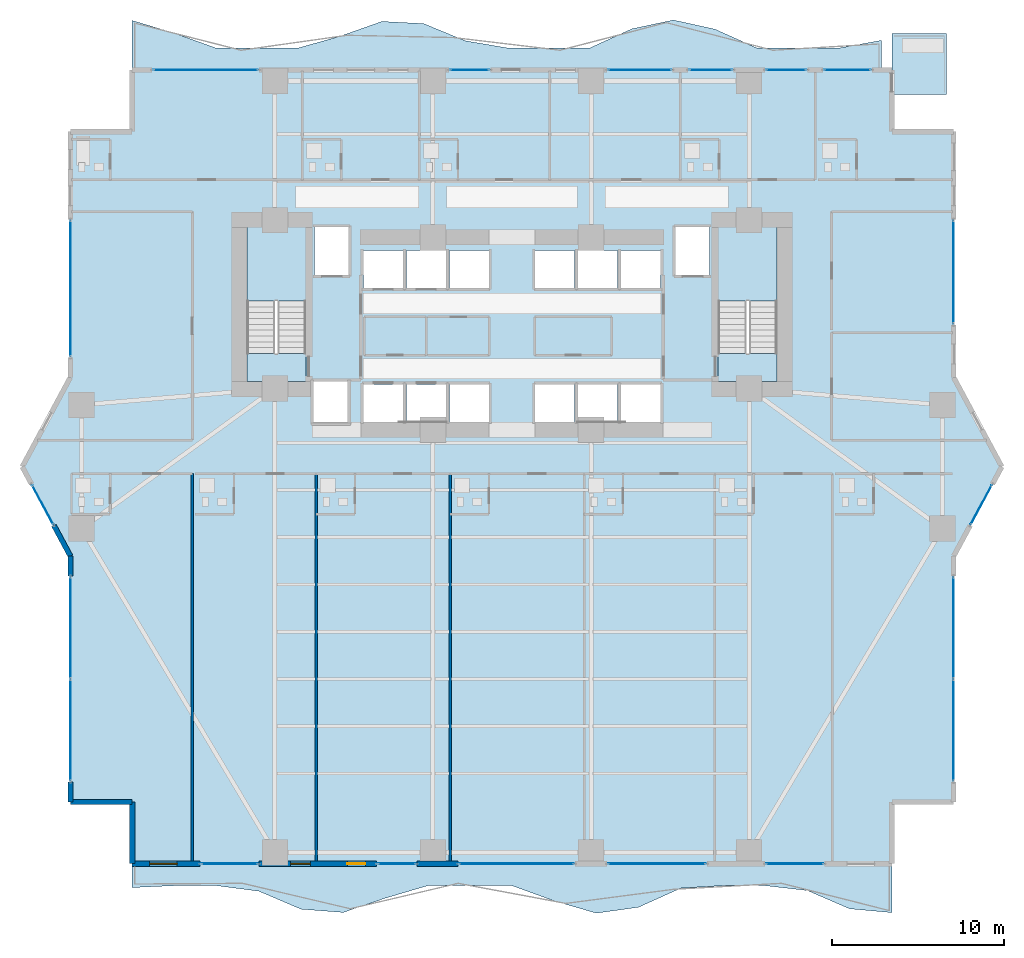
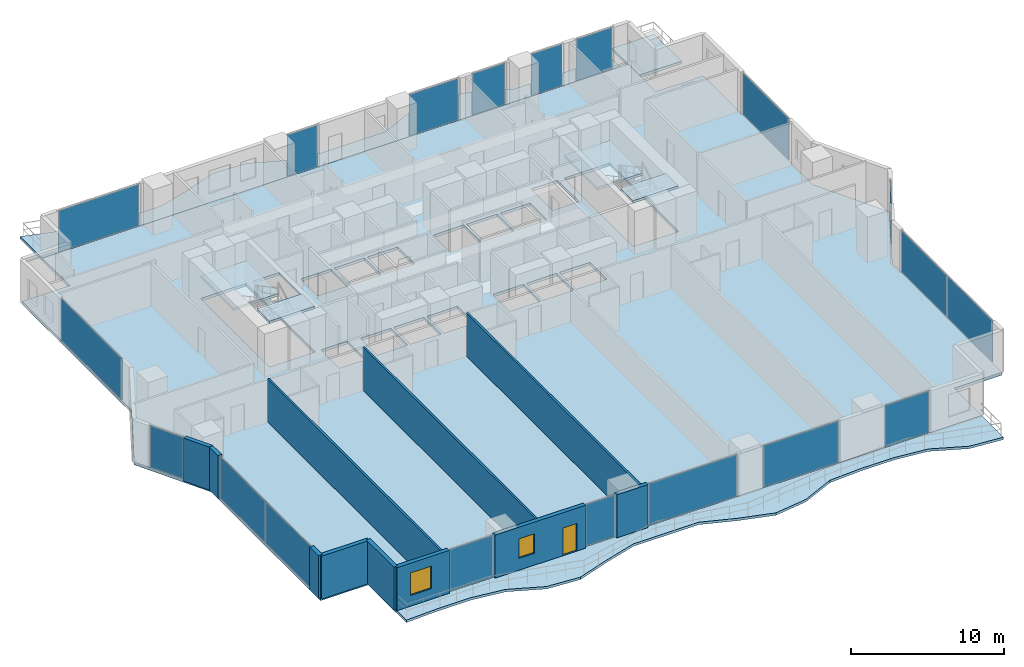
# One storey, part 18 of 28: 19 plates, 11 walls, 8 slabs, 2 windows, 1 door, 3 openings, 19 elements without a shape of their own.
"""IFC4 building model written with IfcOpenShell, lengths in metres."""

from ifc_helpers import new_model, si_unit, direction, frame, frame_2d, origin, origin_2d, place, context, subcontext, project, spatial, polyline, rectangle, outline, extrude, material, layer, layer_set, type_object, element, fill, aggregate, save


model = new_model("IFC4")

# Units and contexts
model_context = context("Model", 3, precision=1e-05, world=origin(), true_north=direction((0.0, 1.0)))
body_context = subcontext(model_context, "Body", "Model", "MODEL_VIEW")
ifc_project = project(units=[si_unit("LENGTHUNIT", "METRE"), si_unit("AREAUNIT", "SQUARE_METRE"), si_unit("VOLUMEUNIT", "CUBIC_METRE"), si_unit("PLANEANGLEUNIT", "RADIAN"), si_unit("MASSUNIT", "GRAM", prefix="KILO")], contexts=[model_context])

# Site, building, storey
site_placement = place(None, origin())
site = spatial("IfcSite", under=ifc_project, at=site_placement, CompositionType="ELEMENT")
building_placement = place(site_placement, origin())
building = spatial("IfcBuilding", under=site, at=building_placement, Name="Zuhayl Quay Hotel", CompositionType="ELEMENT")
storey_placement = place(building_placement, frame((0.0, 0.0, 49.5)))
storey = spatial("IfcBuildingStorey", under=building, at=storey_placement, Name="L11", CompositionType="ELEMENT", Elevation=49.5)

# Curtain wall, plates
ifc_material_1 = material(Name="Anodised Aluminium 6063-T6", Category="aluminium")
ifc_layer_1 = layer(ifc_material_1, 0.18994140625, Name="Anodised Aluminium 6063-T6", Category="aluminium")
ifc_layer_set_1 = layer_set([ifc_layer_1], Name="Anodised Aluminium 6063-T6")
curtain_wall_type = type_object("IfcCurtainWallType", Name="CW_SYS_Z1", PredefinedType="USERDEFINED", material=ifc_layer_set_1)
curtain_wall_1_placement = place(storey_placement, origin())
curtain_wall_1 = element("IfcCurtainWall", 1, at=curtain_wall_1_placement, inside=storey, type_object=curtain_wall_type, Name="L11 Curtain Wall ENV_L11_E02_CW1", ObjectType="UNITISED CURTAIN WALL", PredefinedType="USERDEFINED")
ifc_material_2 = material(Name="Dark Ceramic-Fritted Solar Glass", Category="glass")
ifc_layer_2 = layer(ifc_material_2, 0.035888671875, Name="Dark Ceramic-Fritted Solar Glass", Category="glass")
ifc_layer_set_2 = layer_set([ifc_layer_2], Name="Dark Ceramic-Fritted Solar Glass")
plate_type = type_object("IfcPlateType", Name="PN_DARK_FRIT_Z1", PredefinedType="CURTAIN_PANEL", material=ifc_layer_set_2)
plate_1_placement = place(storey_placement, frame((-25.699951171875, -15.331298828125, 0.06005859375), z_axis=(0.0, 0.0, 1.0), x_axis=(0.0, 1.0, 0.0)))
plate_1 = element("IfcPlate", 2, at=plate_1_placement, type_object=plate_type, Name="CW-Z1 panel 1.1", PredefinedType="CURTAIN_PANEL", context=body_context, shape_type="SweptSolid", body=[
    extrude(rectangle(XDim=5.887451171875, YDim=0.035888671875, at=origin_2d()), origin(), (0.0, 0.0, 1.0), 3.31005859375),
])
plate_2_placement = place(storey_placement, frame((-25.699951171875, -9.36865234375, 0.06005859375), z_axis=(0.0, 0.0, 1.0), x_axis=(0.0, 1.0, 0.0)))
plate_2 = element("IfcPlate", 3, at=plate_2_placement, type_object=plate_type, Name="CW-Z1 panel 2.1", PredefinedType="CURTAIN_PANEL", context=body_context, shape_type="SweptSolid", body=[
    extrude(rectangle(XDim=5.887451171875, YDim=0.035888671875, at=origin_2d()), origin(), (0.0, 0.0, 1.0), 3.31005859375),
])
aggregate(curtain_wall_1, [plate_1, plate_2])

# Curtain wall, plate
curtain_wall_2_placement = place(storey_placement, origin())
curtain_wall_2 = element("IfcCurtainWall", 4, at=curtain_wall_2_placement, inside=storey, type_object=curtain_wall_type, Name="L11 Curtain Wall ENV_L11_E03_CW1", ObjectType="UNITISED CURTAIN WALL", PredefinedType="USERDEFINED")
plate_3_placement = place(storey_placement, frame((-27.306396484375, -2.216796875, 0.06005859375), z_axis=(0.0, 0.0, 1.0), x_axis=(-0.474091102632, 0.880475795468, 0.0)))
plate_3 = element("IfcPlate", 5, at=plate_3_placement, type_object=plate_type, Name="CW-Z1 panel 1.1", PredefinedType="CURTAIN_PANEL", context=body_context, shape_type="SweptSolid", body=[
    extrude(rectangle(XDim=2.58544921875, YDim=0.035888671875, at=origin_2d()), origin(), (0.0, 0.0, 1.0), 3.31005859375),
])
aggregate(curtain_wall_2, [plate_3])

curtain_wall_3_placement = place(storey_placement, origin())
curtain_wall_3 = element("IfcCurtainWall", 6, at=curtain_wall_3_placement, inside=storey, type_object=curtain_wall_type, Name="L11 Curtain Wall ENV_L11_E05_CW1", ObjectType="UNITISED CURTAIN WALL", PredefinedType="USERDEFINED")
plate_4_placement = place(storey_placement, frame((-25.699951171875, 10.375, 0.06005859375), z_axis=(0.0, 0.0, 1.0), x_axis=(0.0, 1.0, 0.0)))
plate_4 = element("IfcPlate", 7, at=plate_4_placement, type_object=plate_type, Name="CW-Z1 panel 1.1", PredefinedType="CURTAIN_PANEL", context=body_context, shape_type="SweptSolid", body=[
    extrude(rectangle(XDim=7.89990234375, YDim=0.035888671875, at=origin_2d()), origin(), (0.0, 0.0, 1.0), 3.31005859375),
])
aggregate(curtain_wall_3, [plate_4])

curtain_wall_4_placement = place(storey_placement, origin())
curtain_wall_4 = element("IfcCurtainWall", 8, at=curtain_wall_4_placement, inside=storey, type_object=curtain_wall_type, Name="L11 Curtain Wall ENV_L11_N_CW1", ObjectType="UNITISED CURTAIN WALL", PredefinedType="USERDEFINED")
plate_5_placement = place(storey_placement, frame((-17.8349609375, 23.10009765625, 0.06005859375), z_axis=(0.0, 0.0, 1.0), x_axis=(1.0, 0.0, 0.0)))
plate_5 = element("IfcPlate", 9, at=plate_5_placement, type_object=plate_type, Name="CW-Z1 panel 1.1", PredefinedType="CURTAIN_PANEL", context=body_context, shape_type="SweptSolid", body=[
    extrude(rectangle(XDim=6.080078125, YDim=0.035888671875, at=origin_2d()), origin(), (0.0, 0.0, 1.0), 3.31005859375),
])
aggregate(curtain_wall_4, [plate_5])

curtain_wall_5_placement = place(storey_placement, origin())
curtain_wall_5 = element("IfcCurtainWall", 10, at=curtain_wall_5_placement, inside=storey, type_object=curtain_wall_type, Name="L11 Curtain Wall ENV_L11_N_CW2", ObjectType="UNITISED CURTAIN WALL", PredefinedType="USERDEFINED")
plate_6_placement = place(storey_placement, frame((-2.467529296875, 23.10009765625, 0.06005859375), z_axis=(0.0, 0.0, 1.0), x_axis=(1.0, 0.0, 0.0)))
plate_6 = element("IfcPlate", 11, at=plate_6_placement, type_object=plate_type, Name="CW-Z1 panel 1.1", PredefinedType="CURTAIN_PANEL", context=body_context, shape_type="SweptSolid", body=[
    extrude(rectangle(XDim=2.27490234375, YDim=0.035888671875, at=origin_2d()), origin(), (0.0, 0.0, 1.0), 3.31005859375),
])
aggregate(curtain_wall_5, [plate_6])

curtain_wall_6_placement = place(storey_placement, origin())
curtain_wall_6 = element("IfcCurtainWall", 12, at=curtain_wall_6_placement, inside=storey, type_object=curtain_wall_type, Name="L11 Curtain Wall ENV_L11_N_CW3", ObjectType="UNITISED CURTAIN WALL", PredefinedType="USERDEFINED")
plate_7_placement = place(storey_placement, frame((7.43505859375, 23.10009765625, 0.06005859375), z_axis=(0.0, 0.0, 1.0), x_axis=(1.0, 0.0, 0.0)))
plate_7 = element("IfcPlate", 13, at=plate_7_placement, type_object=plate_type, Name="CW-Z1 panel 1.1", PredefinedType="CURTAIN_PANEL", context=body_context, shape_type="SweptSolid", body=[
    extrude(rectangle(XDim=3.679931640625, YDim=0.035888671875, at=origin_2d()), origin(), (0.0, 0.0, 1.0), 3.31005859375),
])
aggregate(curtain_wall_6, [plate_7])

curtain_wall_7_placement = place(storey_placement, origin())
curtain_wall_7 = element("IfcCurtainWall", 14, at=curtain_wall_7_placement, inside=storey, type_object=curtain_wall_type, Name="L11 Curtain Wall ENV_L11_N_CW4", ObjectType="UNITISED CURTAIN WALL", PredefinedType="USERDEFINED")
plate_8_placement = place(storey_placement, frame((11.56494140625, 23.10009765625, 0.06005859375), z_axis=(0.0, 0.0, 1.0), x_axis=(1.0, 0.0, 0.0)))
plate_8 = element("IfcPlate", 15, at=plate_8_placement, type_object=plate_type, Name="CW-Z1 panel 1.1", PredefinedType="CURTAIN_PANEL", context=body_context, shape_type="SweptSolid", body=[
    extrude(rectangle(XDim=2.47998046875, YDim=0.035888671875, at=origin_2d()), origin(), (0.0, 0.0, 1.0), 3.31005859375),
])
aggregate(curtain_wall_7, [plate_8])

curtain_wall_8_placement = place(storey_placement, origin())
curtain_wall_8 = element("IfcCurtainWall", 16, at=curtain_wall_8_placement, inside=storey, type_object=curtain_wall_type, Name="L11 Curtain Wall ENV_L11_N_CW5", ObjectType="UNITISED CURTAIN WALL", PredefinedType="USERDEFINED")
plate_9_placement = place(storey_placement, frame((15.955078125, 23.10009765625, 0.06005859375), z_axis=(0.0, 0.0, 1.0), x_axis=(1.0, 0.0, 0.0)))
plate_9 = element("IfcPlate", 17, at=plate_9_placement, type_object=plate_type, Name="CW-Z1 panel 1.1", PredefinedType="CURTAIN_PANEL", context=body_context, shape_type="SweptSolid", body=[
    extrude(rectangle(XDim=2.320068359375, YDim=0.035888671875, at=origin_2d()), origin(), (0.0, 0.0, 1.0), 3.31005859375),
])
aggregate(curtain_wall_8, [plate_9])

curtain_wall_9_placement = place(storey_placement, origin())
curtain_wall_9 = element("IfcCurtainWall", 18, at=curtain_wall_9_placement, inside=storey, type_object=curtain_wall_type, Name="L11 Curtain Wall ENV_L11_N_CW6", ObjectType="UNITISED CURTAIN WALL", PredefinedType="USERDEFINED")
plate_10_placement = place(storey_placement, frame((19.52001953125, 23.10009765625, 0.06005859375), z_axis=(0.0, 0.0, 1.0), x_axis=(1.0, 0.0, 0.0)))
plate_10 = element("IfcPlate", 19, at=plate_10_placement, type_object=plate_type, Name="CW-Z1 panel 1.1", PredefinedType="CURTAIN_PANEL", context=body_context, shape_type="SweptSolid", body=[
    extrude(rectangle(XDim=2.7099609375, YDim=0.035888671875, at=origin_2d()), origin(), (0.0, 0.0, 1.0), 3.31005859375),
])
aggregate(curtain_wall_9, [plate_10])

curtain_wall_10_placement = place(storey_placement, origin())
curtain_wall_10 = element("IfcCurtainWall", 20, at=curtain_wall_10_placement, inside=storey, type_object=curtain_wall_type, Name="L11 Curtain Wall ENV_L11_E11_CW1", ObjectType="UNITISED CURTAIN WALL", PredefinedType="USERDEFINED")
plate_11_placement = place(storey_placement, frame((25.699951171875, 11.324951171875, 0.06005859375), z_axis=(0.0, 0.0, 1.0), x_axis=(0.0, -1.0, 0.0)))
plate_11 = element("IfcPlate", 21, at=plate_11_placement, type_object=plate_type, Name="CW-Z1 panel 1.1", PredefinedType="CURTAIN_PANEL", context=body_context, shape_type="SweptSolid", body=[
    extrude(rectangle(XDim=6.0, YDim=0.035888671875, at=origin_2d()), origin(), (0.0, 0.0, 1.0), 3.31005859375),
])
aggregate(curtain_wall_10, [plate_11])

curtain_wall_11_placement = place(storey_placement, origin())
curtain_wall_11 = element("IfcCurtainWall", 22, at=curtain_wall_11_placement, inside=storey, type_object=curtain_wall_type, Name="L11 Curtain Wall ENV_L11_E13_CW1", ObjectType="UNITISED CURTAIN WALL", PredefinedType="USERDEFINED")
plate_12_placement = place(storey_placement, frame((27.306396484375, -2.216796875, 0.06005859375), z_axis=(0.0, 0.0, 1.0), x_axis=(-0.474091102632, -0.880475795468, 0.0)))
plate_12 = element("IfcPlate", 23, at=plate_12_placement, type_object=plate_type, Name="CW-Z1 panel 1.1", PredefinedType="CURTAIN_PANEL", context=body_context, shape_type="SweptSolid", body=[
    extrude(rectangle(XDim=2.58544921875, YDim=0.035888671875, at=origin_2d()), origin(), (0.0, 0.0, 1.0), 3.31005859375),
])
aggregate(curtain_wall_11, [plate_12])

# Curtain wall, plates
curtain_wall_12_placement = place(storey_placement, origin())
curtain_wall_12 = element("IfcCurtainWall", 24, at=curtain_wall_12_placement, inside=storey, type_object=curtain_wall_type, Name="L11 Curtain Wall ENV_L11_E14_CW1", ObjectType="UNITISED CURTAIN WALL", PredefinedType="USERDEFINED")
plate_13_placement = place(storey_placement, frame((25.699951171875, -9.36865234375, 0.06005859375), z_axis=(0.0, 0.0, 1.0), x_axis=(0.0, -1.0, 0.0)))
plate_13 = element("IfcPlate", 25, at=plate_13_placement, type_object=plate_type, Name="CW-Z1 panel 1.1", PredefinedType="CURTAIN_PANEL", context=body_context, shape_type="SweptSolid", body=[
    extrude(rectangle(XDim=5.887451171875, YDim=0.035888671875, at=origin_2d()), origin(), (0.0, 0.0, 1.0), 3.31005859375),
])
plate_14_placement = place(storey_placement, frame((25.699951171875, -15.331298828125, 0.06005859375), z_axis=(0.0, 0.0, 1.0), x_axis=(0.0, -1.0, 0.0)))
plate_14 = element("IfcPlate", 26, at=plate_14_placement, type_object=plate_type, Name="CW-Z1 panel 2.1", PredefinedType="CURTAIN_PANEL", context=body_context, shape_type="SweptSolid", body=[
    extrude(rectangle(XDim=5.887451171875, YDim=0.035888671875, at=origin_2d()), origin(), (0.0, 0.0, 1.0), 3.31005859375),
])
aggregate(curtain_wall_12, [plate_13, plate_14])

# Curtain wall, plate
curtain_wall_13_placement = place(storey_placement, origin())
curtain_wall_13 = element("IfcCurtainWall", 27, at=curtain_wall_13_placement, inside=storey, type_object=curtain_wall_type, Name="L11 Curtain Wall ENV_L11_S_CW1", ObjectType="UNITISED CURTAIN WALL", PredefinedType="USERDEFINED")
plate_15_placement = place(storey_placement, frame((16.455078125, -23.10009765625, 0.06005859375), z_axis=(0.0, 0.0, 1.0), x_axis=(-1.0, 0.0, 0.0)))
plate_15 = element("IfcPlate", 28, at=plate_15_placement, type_object=plate_type, Name="CW-Z1 panel 1.1", PredefinedType="CURTAIN_PANEL", context=body_context, shape_type="SweptSolid", body=[
    extrude(rectangle(XDim=3.320068359375, YDim=0.035888671875, at=origin_2d()), origin(), (0.0, 0.0, 1.0), 3.31005859375),
])
aggregate(curtain_wall_13, [plate_15])

curtain_wall_14_placement = place(storey_placement, origin())
curtain_wall_14 = element("IfcCurtainWall", 29, at=curtain_wall_14_placement, inside=storey, type_object=curtain_wall_type, Name="L11 Curtain Wall ENV_L11_S_CW2", ObjectType="UNITISED CURTAIN WALL", PredefinedType="USERDEFINED")
plate_16_placement = place(storey_placement, frame((8.43505859375, -23.10009765625, 0.06005859375), z_axis=(0.0, 0.0, 1.0), x_axis=(-1.0, 0.0, 0.0)))
plate_16 = element("IfcPlate", 30, at=plate_16_placement, type_object=plate_type, Name="CW-Z1 panel 1.1", PredefinedType="CURTAIN_PANEL", context=body_context, shape_type="SweptSolid", body=[
    extrude(rectangle(XDim=5.679931640625, YDim=0.035888671875, at=origin_2d()), origin(), (0.0, 0.0, 1.0), 3.31005859375),
])
aggregate(curtain_wall_14, [plate_16])

curtain_wall_15_placement = place(storey_placement, origin())
curtain_wall_15 = element("IfcCurtainWall", 31, at=curtain_wall_15_placement, inside=storey, type_object=curtain_wall_type, Name="L11 Curtain Wall ENV_L11_S_CW3", ObjectType="UNITISED CURTAIN WALL", PredefinedType="USERDEFINED")
plate_17_placement = place(storey_placement, frame((0.264892578125, -23.10009765625, 0.06005859375), z_axis=(0.0, 0.0, 1.0), x_axis=(-1.0, 0.0, 0.0)))
plate_17 = element("IfcPlate", 32, at=plate_17_placement, type_object=plate_type, Name="CW-Z1 panel 1.1", PredefinedType="CURTAIN_PANEL", context=body_context, shape_type="SweptSolid", body=[
    extrude(rectangle(XDim=6.679931640625, YDim=0.035888671875, at=origin_2d()), origin(), (0.0, 0.0, 1.0), 3.31005859375),
])
aggregate(curtain_wall_15, [plate_17])

curtain_wall_16_placement = place(storey_placement, origin())
curtain_wall_16 = element("IfcCurtainWall", 33, at=curtain_wall_16_placement, inside=storey, type_object=curtain_wall_type, Name="L11 Curtain Wall ENV_L11_S_CW4", ObjectType="UNITISED CURTAIN WALL", PredefinedType="USERDEFINED")
plate_18_placement = place(storey_placement, frame((-6.702392578125, -23.10009765625, 0.06005859375), z_axis=(0.0, 0.0, 1.0), x_axis=(-1.0, 0.0, 0.0)))
plate_18 = element("IfcPlate", 34, at=plate_18_placement, type_object=plate_type, Name="CW-Z1 panel 1.1", PredefinedType="CURTAIN_PANEL", context=body_context, shape_type="SweptSolid", body=[
    extrude(rectangle(XDim=2.215087890625, YDim=0.035888671875, at=origin_2d()), origin(), (0.0, 0.0, 1.0), 3.31005859375),
])
aggregate(curtain_wall_16, [plate_18])

curtain_wall_17_placement = place(storey_placement, origin())
curtain_wall_17 = element("IfcCurtainWall", 35, at=curtain_wall_17_placement, inside=storey, type_object=curtain_wall_type, Name="L11 Curtain Wall ENV_L11_S_CW5", ObjectType="UNITISED CURTAIN WALL", PredefinedType="USERDEFINED")
plate_19_placement = place(storey_placement, frame((-16.43505859375, -23.10009765625, 0.06005859375), z_axis=(0.0, 0.0, 1.0), x_axis=(-1.0, 0.0, 0.0)))
plate_19 = element("IfcPlate", 36, at=plate_19_placement, type_object=plate_type, Name="CW-Z1 panel 1.1", PredefinedType="CURTAIN_PANEL", context=body_context, shape_type="SweptSolid", body=[
    extrude(rectangle(XDim=3.280029296875, YDim=0.035888671875, at=origin_2d()), origin(), (0.0, 0.0, 1.0), 3.31005859375),
])
aggregate(curtain_wall_17, [plate_19])

# Slabs
ifc_material_3 = material(Name="Concrete C45/55", Category="concrete")
ifc_layer_3 = layer(ifc_material_3, 0.195068359375, Name="Concrete C45/55", Category="concrete")
ifc_layer_set_3 = layer_set([ifc_layer_3], Name="Concrete C45/55")
slab_type_1 = type_object("IfcSlabType", Name="SL_BALCONY_195", PredefinedType="FLOOR", material=ifc_layer_set_3)
slab_1_placement = place(storey_placement, frame((0.0, 0.0, -0.195068359375)))
element("IfcSlab", 37, at=slab_1_placement, inside=storey, type_object=slab_type_1, Name="L11 Exterior Rippling Balcony Slab North", PredefinedType="FLOOR", context=body_context, shape_type="SweptSolid", body=[
    extrude(outline(polyline([(-22.10009765625, 23.10009765625), (21.5, 23.10009765625), (21.5, 24.8154296875), (19.077880859375, 24.3798828125), (16.655517578125, 24.3798828125), (14.2333984375, 24.3798828125), (11.81103515625, 25.467041015625), (9.388916015625, 26.0), (6.966796875, 25.484619140625), (4.54443359375, 24.3798828125), (2.122314453125, 24.3798828125), (-0.300048828125, 24.3798828125), (-2.72216796875, 24.793701171875), (-5.144287109375, 25.79248046875), (-7.566650390625, 25.9169921875), (-9.989013671875, 25.06298828125), (-12.4111328125, 24.3798828125), (-14.833251953125, 24.3798828125), (-17.255615234375, 24.3798828125), (-19.677734375, 25.248291015625), (-22.10009765625, 25.97265625), (-22.10009765625, 23.10009765625)])), origin(), (0.0, 0.0, 1.0), 0.195068359375),
])
slab_2_placement = place(storey_placement, frame((0.0, 0.0, -0.195068359375)))
element("IfcSlab", 38, at=slab_2_placement, inside=storey, type_object=slab_type_1, Name="L11 Exterior Rippling Balcony Slab South", PredefinedType="FLOOR", context=body_context, shape_type="SweptSolid", body=[
    extrude(outline(polyline([(-22.10009765625, -24.489990234375), (-19.644287109375, -24.3798828125), (-17.18896484375, -24.3798828125), (-14.7333984375, -24.700927734375), (-12.27783203125, -25.748291015625), (-9.822265625, -25.93701171875), (-7.36669921875, -25.10498046875), (-4.9111328125, -24.3798828125), (-2.45556640625, -24.3798828125), (0.0, -24.3798828125), (2.45556640625, -25.268310546875), (4.9111328125, -25.97998046875), (7.36669921875, -25.6337890625), (9.822265625, -24.527587890625), (12.27783203125, -24.3798828125), (14.7333984375, -24.3798828125), (17.18896484375, -24.662841796875), (19.644287109375, -25.724853515625), (22.10009765625, -25.948486328125), (22.10009765625, -23.10009765625), (-22.10009765625, -23.10009765625), (-22.10009765625, -24.489990234375)])), origin(), (0.0, 0.0, 1.0), 0.195068359375),
])
ifc_layer_4 = layer(ifc_material_3, 0.219970703125, Name="Concrete C45/55", Category="concrete")
ifc_layer_set_4 = layer_set([ifc_layer_4], Name="Concrete C45/55")
slab_type_2 = type_object("IfcSlabType", Name="SL_FLOOR_220", PredefinedType="FLOOR", material=ifc_layer_set_4)
slab_3_placement = place(storey_placement, frame((0.0, 0.0, -0.219970703125)))
element("IfcSlab", 39, at=slab_3_placement, inside=storey, type_object=slab_type_2, Name="L11 Structural Floor Slab", PredefinedType="FLOOR", context=body_context, shape_type="SweptSolid", body=[
    extrude(outline(polyline([(-22.10009765625, -23.10009765625), (22.10009765625, -23.10009765625), (22.10009765625, -19.5), (25.699951171875, -19.5), (25.699951171875, -5.199951171875), (28.5, 0.0), (25.699951171875, 5.199951171875), (25.699951171875, 19.5), (22.10009765625, 19.5), (22.10009765625, 23.10009765625), (-22.10009765625, 23.10009765625), (-22.10009765625, 19.5), (-25.699951171875, 19.5), (-25.699951171875, 5.199951171875), (-28.5, 0.0), (-25.699951171875, -5.199951171875), (-25.699951171875, -19.5), (-22.10009765625, -19.5), (-22.10009765625, -23.10009765625)]), holes=[polyline([(-12.0, 4.949951171875), (-12.0, 13.949951171875), (-15.429931640625, 13.949951171875), (-15.429931640625, 4.949951171875), (-12.0, 4.949951171875)]), polyline([(15.429931640625, 4.949951171875), (15.429931640625, 13.949951171875), (12.0, 13.949951171875), (12.0, 4.949951171875), (15.429931640625, 4.949951171875)]), polyline([(-11.5, 11.14990234375), (-9.5, 11.14990234375), (-9.5, 13.949951171875), (-11.5, 13.949951171875), (-11.5, 11.14990234375)]), polyline([(9.5, 11.14990234375), (11.5, 11.14990234375), (11.5, 13.949951171875), (9.5, 13.949951171875), (9.5, 11.14990234375)]), polyline([(-8.64990234375, 2.60009765625), (-6.35009765625, 2.60009765625), (-6.35009765625, 4.800048828125), (-8.64990234375, 4.800048828125), (-8.64990234375, 2.60009765625)]), polyline([(-6.14990234375, 2.60009765625), (-3.85009765625, 2.60009765625), (-3.85009765625, 4.800048828125), (-6.14990234375, 4.800048828125), (-6.14990234375, 2.60009765625)]), polyline([(-8.64990234375, 10.39990234375), (-6.35009765625, 10.39990234375), (-6.35009765625, 12.60009765625), (-8.64990234375, 12.60009765625), (-8.64990234375, 10.39990234375)]), polyline([(-6.14990234375, 10.39990234375), (-3.85009765625, 10.39990234375), (-3.85009765625, 12.60009765625), (-6.14990234375, 12.60009765625), (-6.14990234375, 10.39990234375)]), polyline([(-3.64990234375, 2.60009765625), (-1.35009765625, 2.60009765625), (-1.35009765625, 4.800048828125), (-3.64990234375, 4.800048828125), (-3.64990234375, 2.60009765625)]), polyline([(1.35009765625, 2.60009765625), (3.64990234375, 2.60009765625), (3.64990234375, 4.800048828125), (1.35009765625, 4.800048828125), (1.35009765625, 2.60009765625)]), polyline([(-3.64990234375, 10.39990234375), (-1.35009765625, 10.39990234375), (-1.35009765625, 12.60009765625), (-3.64990234375, 12.60009765625), (-3.64990234375, 10.39990234375)]), polyline([(1.35009765625, 10.39990234375), (3.64990234375, 10.39990234375), (3.64990234375, 12.60009765625), (1.35009765625, 12.60009765625), (1.35009765625, 10.39990234375)]), polyline([(3.85009765625, 2.60009765625), (6.14990234375, 2.60009765625), (6.14990234375, 4.800048828125), (3.85009765625, 4.800048828125), (3.85009765625, 2.60009765625)]), polyline([(6.35009765625, 2.60009765625), (8.64990234375, 2.60009765625), (8.64990234375, 4.800048828125), (6.35009765625, 4.800048828125), (6.35009765625, 2.60009765625)]), polyline([(3.85009765625, 10.39990234375), (6.14990234375, 10.39990234375), (6.14990234375, 12.60009765625), (3.85009765625, 12.60009765625), (3.85009765625, 10.39990234375)]), polyline([(6.35009765625, 10.39990234375), (8.64990234375, 10.39990234375), (8.64990234375, 12.60009765625), (6.35009765625, 12.60009765625), (6.35009765625, 10.39990234375)]), polyline([(-11.550048828125, 2.550048828125), (-9.550048828125, 2.550048828125), (-9.550048828125, 4.949951171875), (-11.550048828125, 4.949951171875), (-11.550048828125, 2.550048828125)])]), origin(), (0.0, 0.0, 1.0), 0.219970703125),
])

# Stair, slabs
stair_type = type_object("IfcStairType", Name="ST_DOGLEG_TOWER", PredefinedType="HALF_TURN_STAIR", material=ifc_material_3)
stair_1_placement = place(storey_placement, origin())
stair_1 = element("IfcStair", 40, at=stair_1_placement, inside=storey, type_object=stair_type, Name="L11 Smokeproof Exit Stair ST1", PredefinedType="HALF_TURN_STAIR")
ifc_layer_5 = layer(ifc_material_3, 0.199951171875, Name="Concrete C45/55", Category="concrete")
ifc_layer_set_5 = layer_set([ifc_layer_5], Name="Concrete C45/55")
slab_type_3 = type_object("IfcSlabType", Name="SL_STAIR_LANDING_200", PredefinedType="LANDING", material=ifc_layer_set_5)
slab_4_placement = place(storey_placement, frame((0.0, 0.0, 1.625)))
slab_4 = element("IfcSlab", 41, at=slab_4_placement, type_object=slab_type_3, Name="ST1 landing 1", PredefinedType="LANDING", context=body_context, shape_type="SweptSolid", body=[
    extrude(outline(polyline([(-12.0, 9.64990234375), (-12.0, 13.949951171875), (-15.429931640625, 13.949951171875), (-15.429931640625, 9.64990234375), (-12.0, 9.64990234375)])), origin(), (0.0, 0.0, 1.0), 0.199951171875),
])
slab_5_placement = place(storey_placement, frame((0.0, 0.0, 3.449951171875)))
slab_5 = element("IfcSlab", 42, at=slab_5_placement, type_object=slab_type_3, Name="ST1 landing 2", PredefinedType="LANDING", context=body_context, shape_type="SweptSolid", body=[
    extrude(outline(polyline([(-12.0, 4.949951171875), (-12.0, 6.590087890625), (-15.429931640625, 6.590087890625), (-15.429931640625, 4.949951171875), (-12.0, 4.949951171875)])), origin(), (0.0, 0.0, 1.0), 0.199951171875),
])
aggregate(stair_1, [slab_4, slab_5])

stair_2_placement = place(storey_placement, origin())
stair_2 = element("IfcStair", 43, at=stair_2_placement, inside=storey, type_object=stair_type, Name="L11 Smokeproof Exit Stair ST2", PredefinedType="HALF_TURN_STAIR")
slab_6_placement = place(storey_placement, frame((0.0, 0.0, 1.625)))
slab_6 = element("IfcSlab", 44, at=slab_6_placement, type_object=slab_type_3, Name="ST2 landing 1", PredefinedType="LANDING", context=body_context, shape_type="SweptSolid", body=[
    extrude(outline(polyline([(15.429931640625, 9.64990234375), (15.429931640625, 13.949951171875), (12.0, 13.949951171875), (12.0, 9.64990234375), (15.429931640625, 9.64990234375)])), origin(), (0.0, 0.0, 1.0), 0.199951171875),
])
slab_7_placement = place(storey_placement, frame((0.0, 0.0, 3.449951171875)))
slab_7 = element("IfcSlab", 45, at=slab_7_placement, type_object=slab_type_3, Name="ST2 landing 2", PredefinedType="LANDING", context=body_context, shape_type="SweptSolid", body=[
    extrude(outline(polyline([(15.429931640625, 4.949951171875), (15.429931640625, 6.590087890625), (12.0, 6.590087890625), (12.0, 4.949951171875), (15.429931640625, 4.949951171875)])), origin(), (0.0, 0.0, 1.0), 0.199951171875),
])
aggregate(stair_2, [slab_6, slab_7])

# Slab
ifc_layer_6 = layer(ifc_material_3, 0.219970703125, Name="Concrete C45/55", Category="concrete")
ifc_layer_set_6 = layer_set([ifc_layer_6], Name="Concrete C45/55")
slab_type_4 = type_object("IfcSlabType", Name="SL_TERRACE_235", PredefinedType="FLOOR", material=ifc_layer_set_6)
slab_8_placement = place(storey_placement, frame((0.0, 0.0, -0.219970703125)))
element("IfcSlab", 46, at=slab_8_placement, inside=storey, type_object=slab_type_4, Name="L11 Exterior Sky-Terrace Slab L11_SPIRAL_NE", PredefinedType="FLOOR", context=body_context, shape_type="SweptSolid", body=[
    extrude(outline(polyline([(22.10009765625, 21.64990234375), (25.300048828125, 21.64990234375), (25.300048828125, 25.199951171875), (22.10009765625, 25.199951171875), (22.10009765625, 21.64990234375)])), origin(), (0.0, 0.0, 1.0), 0.219970703125),
])

# Walls
ifc_material_4 = material(Name="Precast concrete C45/55", Category="concrete")
ifc_layer_7 = layer(ifc_material_4, 0.300048828125, Name="Precast concrete C45/55", Category="concrete")
ifc_layer_set_7 = layer_set([ifc_layer_7], Name="Precast concrete C45/55")
wall_type_1 = type_object("IfcWallType", Name="WL_EXT_300", PredefinedType="STANDARD", material=ifc_layer_set_7)
wall_1_placement = place(storey_placement, frame((-22.10009765625, -19.5, 0.0), z_axis=(0.0, 0.0, 1.0), x_axis=(-1.0, 0.0, 0.0)))
element("IfcWall", 47, at=wall_1_placement, inside=storey, type_object=wall_type_1, Name="L11 Exterior Precast Wall ENV_L11_EW01", PredefinedType="STANDARD", context=body_context, shape_type="SweptSolid", body=[
    extrude(rectangle(XDim=3.599853515625, YDim=0.300048828125, at=frame_2d((1.7998046875, 0.0))), origin(), (0.0, 0.0, 1.0), 3.429931640625),
])
wall_2_placement = place(storey_placement, frame((-25.699951171875, -19.5, 0.0), z_axis=(0.0, 0.0, 1.0), x_axis=(0.0, 1.0, 0.0)))
element("IfcWall", 48, at=wall_2_placement, inside=storey, type_object=wall_type_1, Name="L11 Exterior Precast Wall ENV_L11_E02_EW1", PredefinedType="STANDARD", context=body_context, shape_type="SweptSolid", body=[
    extrude(rectangle(XDim=1.14990234375, YDim=0.300048828125, at=frame_2d((0.574951171875, 0.0))), origin(), (0.0, 0.0, 1.0), 3.429931640625),
])
wall_3_placement = place(storey_placement, frame((-25.699951171875, -6.35009765625, 0.0), z_axis=(0.0, 0.0, 1.0), x_axis=(0.0, 1.0, 0.0)))
element("IfcWall", 49, at=wall_3_placement, inside=storey, type_object=wall_type_1, Name="L11 Exterior Precast Wall ENV_L11_E02_EW2", PredefinedType="STANDARD", context=body_context, shape_type="SweptSolid", body=[
    extrude(rectangle(XDim=1.150146484375, YDim=0.300048828125, at=frame_2d((0.5751953125, 0.0))), origin(), (0.0, 0.0, 1.0), 3.429931640625),
])
wall_4_placement = place(storey_placement, frame((-25.699951171875, -5.199951171875, 0.0), z_axis=(0.0, 0.0, 1.0), x_axis=(-0.474121438562, 0.88045946045, 0.0)))
element("IfcWall", 50, at=wall_4_placement, inside=storey, type_object=wall_type_1, Name="L11 Exterior Precast Wall ENV_L11_E03_EW1", PredefinedType="STANDARD", context=body_context, shape_type="SweptSolid", body=[
    extrude(rectangle(XDim=2.0205078125, YDim=0.300048828125, at=frame_2d((1.01025390625, 0.0))), origin(), (0.0, 0.0, 1.0), 3.429931640625),
])
wall_5_placement = place(storey_placement, frame((-3.14990234375, -23.10009765625, 0.0), z_axis=(0.0, 0.0, 1.0), x_axis=(-1.0, 0.0, 0.0)))
element("IfcWall", 51, at=wall_5_placement, inside=storey, type_object=wall_type_1, Name="L11 Exterior Precast Wall ENV_L11_S_EW4", PredefinedType="STANDARD", context=body_context, shape_type="SweptSolid", body=[
    extrude(rectangle(XDim=2.3701171875, YDim=0.300048828125, at=frame_2d((1.18505859375, 0.0))), origin(), (0.0, 0.0, 1.0), 3.429931640625),
])

# Wall, openings, door, window
wall_6_placement = place(storey_placement, frame((-7.885009765625, -23.10009765625, 0.0), z_axis=(0.0, 0.0, 1.0), x_axis=(-1.0, 0.0, 0.0)))
wall_6 = element("IfcWall", 52, at=wall_6_placement, inside=storey, type_object=wall_type_1, Name="L11 Exterior Precast Wall ENV_L11_S_EW5", PredefinedType="STANDARD", context=body_context, shape_type="SweptSolid", body=[
    extrude(rectangle(XDim=6.8349609375, YDim=0.300048828125, at=frame_2d((3.41748046875, 0.0))), origin(), (0.0, 0.0, 1.0), 3.429931640625),
])
opening_1_placement = place(wall_6_placement, frame((0.64990234375, 0.0, 0.0)))
opening_1 = element("IfcOpeningElement", 53, at=opening_1_placement, cuts=wall_6, Name="Opening DG1", PredefinedType="OPENING", context=body_context, shape_type="SweptSolid", body=[
    extrude(rectangle(XDim=1.050048828125, YDim=2.199951171875, at=frame_2d((0.52490234375, 1.10009765625))), frame((0.0, 0.159912109375, 0.0), z_axis=(0.0, -1.0, 0.0), x_axis=(1.0, 0.0, 0.0)), (0.0, 0.0, 1.0), 0.320068359375),
])
opening_2_placement = place(wall_6_placement, frame((3.85009765625, 0.0, 0.949951171875)))
opening_2 = element("IfcOpeningElement", 54, at=opening_2_placement, cuts=wall_6, Name="Opening W01N", PredefinedType="OPENING", context=body_context, shape_type="SweptSolid", body=[
    extrude(rectangle(XDim=1.14990234375, YDim=1.550048828125, at=frame_2d((0.574951171875, 0.77490234375))), frame((0.0, 0.159912109375, 0.0), z_axis=(0.0, -1.0, 0.0), x_axis=(1.0, 0.0, 0.0)), (0.0, 0.0, 1.0), 0.320068359375),
])
ifc_material_5 = material(Name="Anodised Aluminium and Dark Solar Glass", Category="aluminium")
door_type = type_object("IfcDoorType", Name="DR_EXT_TERR_1050", OperationType="NOTDEFINED", PredefinedType="DOOR", material=ifc_material_5)
door_placement = place(opening_1_placement, origin())
door = element("IfcDoor", 55, at=door_placement, inside=storey, type_object=door_type, Name="L11 South Rippling Balcony Door", OperationType="SINGLE_SWING_RIGHT", OverallHeight=2.199951171875, OverallWidth=1.050048828125, PredefinedType="DOOR", context=body_context, shape_type="SweptSolid", body=[
    extrude(rectangle(XDim=1.050048828125, YDim=2.199951171875, at=frame_2d((0.52490234375, 1.10009765625))), frame((0.0, 0.02490234375, 0.0), z_axis=(0.0, -1.0, 0.0), x_axis=(1.0, 0.0, 0.0)), (0.0, 0.0, 1.0), 0.050048828125),
])
fill(opening_1, door)
window_type_1 = type_object("IfcWindowType", Name="WN_NOTCH_1350", PartitioningType="SINGLE_PANEL", PredefinedType="WINDOW", material=ifc_material_2)
window_1_placement = place(opening_2_placement, origin())
window_1 = element("IfcWindow", 56, at=window_1_placement, inside=storey, type_object=window_type_1, Name="L11 Operable Facade Window 5-1", OverallHeight=1.550048828125, OverallWidth=1.14990234375, PartitioningType="SINGLE_PANEL", PredefinedType="WINDOW", context=body_context, shape_type="SweptSolid", body=[
    extrude(rectangle(XDim=1.14990234375, YDim=1.550048828125, at=frame_2d((0.574951171875, 0.77490234375))), frame((0.0, 0.030029296875, 0.0), z_axis=(0.0, -1.0, 0.0), x_axis=(1.0, 0.0, 0.0)), (0.0, 0.0, 1.0), 0.06005859375),
])
fill(opening_2, window_1)

# Wall, opening, window
wall_7_placement = place(storey_placement, frame((-18.14990234375, -23.10009765625, 0.0), z_axis=(0.0, 0.0, 1.0), x_axis=(-1.0, 0.0, 0.0)))
wall_7 = element("IfcWall", 57, at=wall_7_placement, inside=storey, type_object=wall_type_1, Name="L11 Exterior Precast Wall ENV_L11_S_EW6", PredefinedType="STANDARD", context=body_context, shape_type="SweptSolid", body=[
    extrude(rectangle(XDim=3.9501953125, YDim=0.300048828125, at=frame_2d((1.97509765625, 0.0))), origin(), (0.0, 0.0, 1.0), 3.429931640625),
])
opening_3_placement = place(wall_7_placement, frame((1.340087890625, 0.0, 0.85009765625)))
opening_3 = element("IfcOpeningElement", 58, at=opening_3_placement, cuts=wall_7, Name="Opening W01", PredefinedType="OPENING", context=body_context, shape_type="SweptSolid", body=[
    extrude(rectangle(XDim=1.60009765625, YDim=1.800048828125, at=frame_2d((0.800048828125, 0.89990234375))), frame((0.0, 0.159912109375, 0.0), z_axis=(0.0, -1.0, 0.0), x_axis=(1.0, 0.0, 0.0)), (0.0, 0.0, 1.0), 0.320068359375),
])
window_type_2 = type_object("IfcWindowType", Name="WN_OPERABLE_1600", PartitioningType="DOUBLE_PANEL_VERTICAL", PredefinedType="WINDOW", material=ifc_material_2)
window_2_placement = place(opening_3_placement, origin())
window_2 = element("IfcWindow", 59, at=window_2_placement, inside=storey, type_object=window_type_2, Name="L11 Operable Facade Window 6-1", OverallHeight=1.800048828125, OverallWidth=1.60009765625, PartitioningType="SINGLE_PANEL", PredefinedType="WINDOW", context=body_context, shape_type="SweptSolid", body=[
    extrude(rectangle(XDim=1.60009765625, YDim=1.800048828125, at=frame_2d((0.800048828125, 0.89990234375))), frame((0.0, 0.030029296875, 0.0), z_axis=(0.0, -1.0, 0.0), x_axis=(1.0, 0.0, 0.0)), (0.0, 0.0, 1.0), 0.06005859375),
])
fill(opening_3, window_2)

# Walls
wall_8_placement = place(storey_placement, frame((-22.10009765625, -23.10009765625, 0.0), z_axis=(0.0, 0.0, 1.0), x_axis=(0.0, 1.0, 0.0)))
element("IfcWall", 60, at=wall_8_placement, inside=storey, type_object=wall_type_1, Name="L11 Exterior Precast Wall ENV_L11_EW18", PredefinedType="STANDARD", context=body_context, shape_type="SweptSolid", body=[
    extrude(rectangle(XDim=3.60009765625, YDim=0.300048828125, at=frame_2d((1.800048828125, 0.0))), origin(), (0.0, 0.0, 1.0), 3.429931640625),
])
ifc_material_6 = material(Name="Acoustic Gypsum Partition STC-58")
ifc_layer_8 = layer(ifc_material_6, 0.14990234375, Name="Acoustic Gypsum Partition STC-58")
ifc_layer_set_8 = layer_set([ifc_layer_8], Name="Acoustic Gypsum Partition STC-58")
wall_type_2 = type_object("IfcWallType", Name="WL_PART_150", PredefinedType="PARTITIONING", material=ifc_layer_set_8)
for number, where, z_axis, x_axis, name in (
    (61, (-18.60009765625, -23.02001953125, 0.0), (0.0, 0.0, 1.0), (0.0, 1.0, 0.0), "L11 Partition IW_L11_SU01A_E"),
    (62, (-11.39990234375, -23.02001953125, 0.0), (0.0, 0.0, 1.0), (0.0, 1.0, 0.0), "L11 Partition IW_L11_SU01B_E"),
    (63, (-3.60009765625, -23.02001953125, 0.0), (0.0, 0.0, 1.0), (0.0, 1.0, 0.0), "L11 Partition IW_L11_SU02_E"),
):
    element("IfcWall", number, at=place(storey_placement, frame(where, z_axis=z_axis, x_axis=x_axis)), inside=storey, type_object=wall_type_2, Name=name, PredefinedType="PARTITIONING", context=body_context, shape_type="SweptSolid", body=[
        extrude(rectangle(XDim=22.6201171875, YDim=0.14990234375, at=frame_2d((11.31005859375, 0.0))), origin(), (0.0, 0.0, 1.0), 3.429931640625),
    ])

save(model, "model.ifc")
